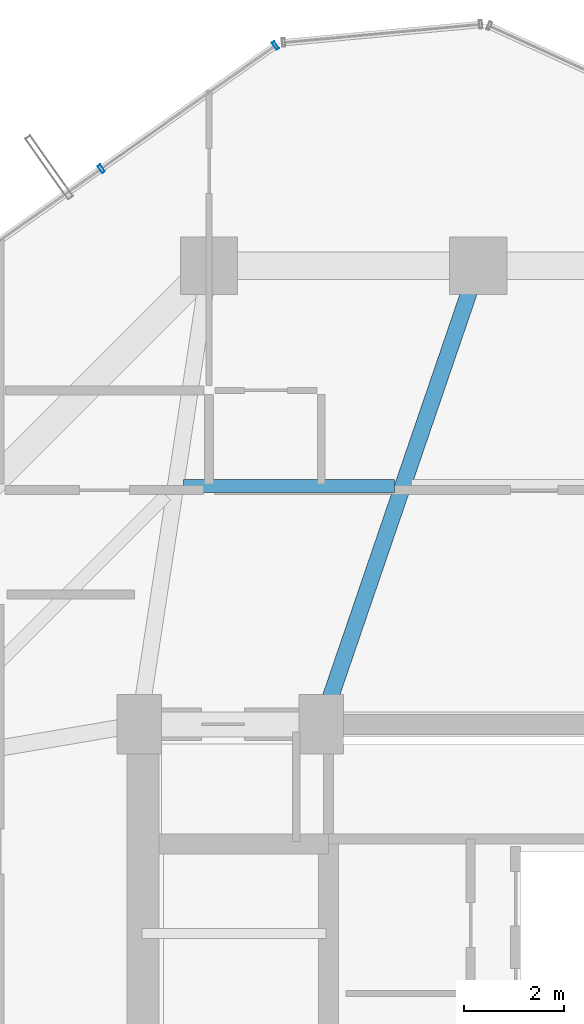
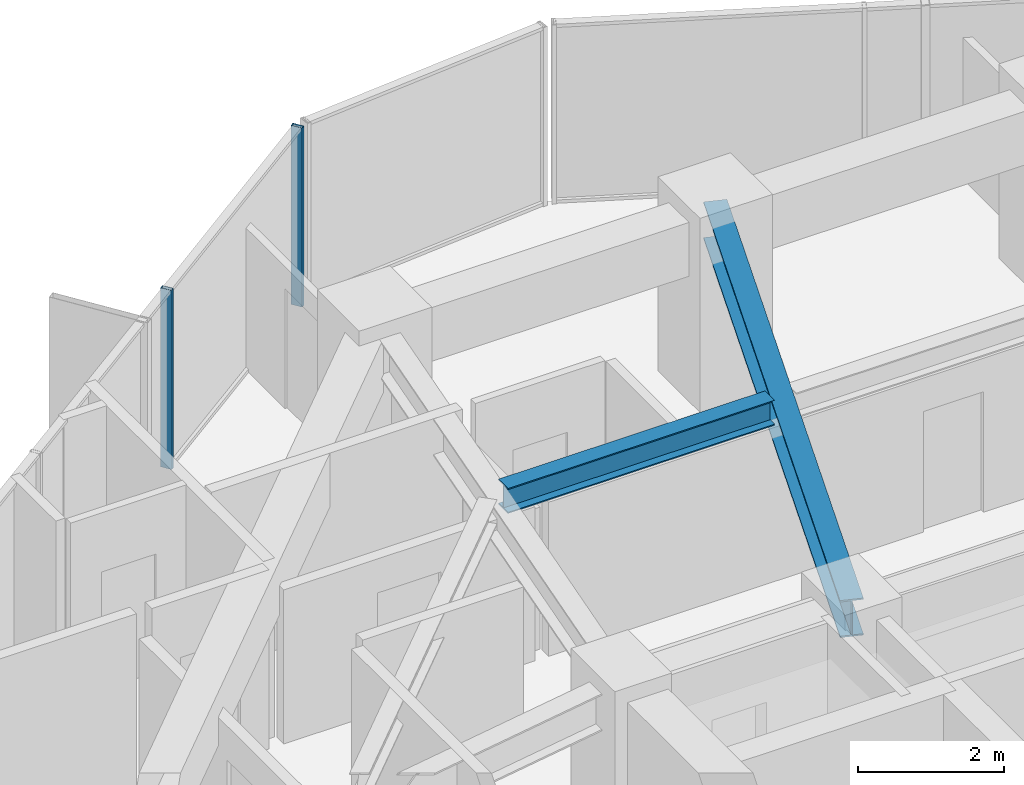
# One storey, part 21 of 33: 2 beams, 2 members, 1 element without a shape of its own.
"""IFC4 building model written with IfcOpenShell, lengths in metres."""

import ifcopenshell
import ifcopenshell.guid

model = None  # the IFC model being written
_history = None  # IfcOwnerHistory: only IFC2X3 demands one
_inside = {}  # id of a spatial element -> (the spatial element, [elements in it])
_under = {}  # id of a project, library or spatial element -> (it, [spatial elements below it])
_declared = {}  # id of a project -> (the project, [libraries it declares])
_typed = {}  # id of a type object -> (the type object, [elements of that type])
_made_of = {}  # id of a material, layer set ... -> (it, [elements and type objects made of it])


def new_model(schema):
    """Start an empty IFC model of exactly this schema.

    Asked for "IFC4X3", IfcOpenShell would pick the latest addendum, in which some entities
    have other attributes; the version numbers below select the first issue.
    IFC2X3 requires an IfcOwnerHistory on every rooted entity: one is made here for all.
    """
    global model, _history
    if schema == "IFC4X3":
        model = ifcopenshell.file(schema_version=(4, 3, 0, 0))
    else:
        model = ifcopenshell.file(schema=schema)
    _inside.clear()
    _under.clear()
    _declared.clear()
    _typed.clear()
    _made_of.clear()
    _history = None
    if model.schema == "IFC2X3":
        org = make("IfcOrganization", Name="unknown")
        user = make(
            "IfcPersonAndOrganization",
            ThePerson=make("IfcPerson", FamilyName="unknown"),
            TheOrganization=org,
        )
        app = make(
            "IfcApplication",
            ApplicationDeveloper=org,
            Version="unknown",
            ApplicationFullName="unknown",
            ApplicationIdentifier="unknown",
        )
        _history = make(
            "IfcOwnerHistory",
            OwningUser=user,
            OwningApplication=app,
            ChangeAction="ADDED",
            CreationDate=0,
        )
    return model


def make(cls, **values):
    """One entity of the class cls with the attributes given. An attribute that is None is left unset."""
    return model.create_entity(
        cls, **{name: value for name, value in values.items() if value is not None}
    )


def rooted(cls, **values):
    """An entity with a GlobalId (a new one), such as an element, a storey or a relation."""
    return make(cls, GlobalId=ifcopenshell.guid.new(), OwnerHistory=_history, **values)


def si_unit(unit_type, name, prefix=None):
    """IfcSIUnit, for example si_unit("LENGTHUNIT", "METRE", prefix="MILLI")."""
    return make("IfcSIUnit", UnitType=unit_type, Prefix=prefix, Name=name)


def assignment(units):
    """IfcUnitAssignment: the units of a project."""
    return None if units is None else make("IfcUnitAssignment", Units=units)


def point(xyz):
    """IfcCartesianPoint."""
    return None if xyz is None else make("IfcCartesianPoint", Coordinates=xyz)


def direction(xyz):
    """IfcDirection."""
    return None if xyz is None else make("IfcDirection", DirectionRatios=xyz)


def frame(location, z_axis=None, x_axis=None):
    """IfcAxis2Placement3D, a coordinate frame: its origin and axes. An axis left out is left unset."""
    return make(
        "IfcAxis2Placement3D",
        Location=point(location),
        Axis=direction(z_axis),
        RefDirection=direction(x_axis),
    )


def frame_2d(location, x_axis=None):
    """IfcAxis2Placement2D, a coordinate frame in the plane: its origin and x axis."""
    return make(
        "IfcAxis2Placement2D", Location=point(location), RefDirection=direction(x_axis)
    )


def origin():
    """The frame at (0, 0, 0) with its axes left unset."""
    return frame((0.0, 0.0, 0.0))


def origin_2d():
    """The frame at (0, 0) in the plane with its x axis left unset."""
    return frame_2d((0.0, 0.0))


def place(relative_to, where):
    """IfcLocalPlacement: puts the frame where relative to a parent placement (None: the world)."""
    return make(
        "IfcLocalPlacement", PlacementRelTo=relative_to, RelativePlacement=where
    )


def context(
    kind, dimensions, precision=None, world=None, true_north=None, identifier=None
):
    """IfcGeometricRepresentationContext, for example the 3D "Model" context."""
    return make(
        "IfcGeometricRepresentationContext",
        ContextIdentifier=identifier,
        ContextType=kind,
        CoordinateSpaceDimension=dimensions,
        Precision=precision,
        WorldCoordinateSystem=world,
        TrueNorth=true_north,
    )


def subcontext(parent, identifier, kind, view, scale=None):
    """IfcGeometricRepresentationSubContext, for example "Body" below "Model"."""
    return make(
        "IfcGeometricRepresentationSubContext",
        ContextIdentifier=identifier,
        ContextType=kind,
        ParentContext=parent,
        TargetScale=scale,
        TargetView=view,
    )


def project(units=None, contexts=None):
    """IfcProject with its units and contexts."""
    return rooted(
        "IfcProject",
        Name="project",
        RepresentationContexts=contexts,
        UnitsInContext=assignment(units),
    )


def spatial(cls, under=None, at=None, **own):
    """A site, building, storey or space (cls), placed at a placement, below another one or the project."""
    s = rooted(cls, ObjectPlacement=at, **own)
    if under is not None:
        _under.setdefault(under.id(), (under, []))[1].append(s)
    return s


def profile(cls, at=None, kind="AREA", **sizes):
    """A parametric profile (cls). Its sizes go by their IFC names, for example OverallWidth=200.0."""
    return make(cls, ProfileType=kind, Position=at, **sizes)


def hollow_rectangle(**sizes):
    """IfcRectangleHollowProfileDef."""
    return profile("IfcRectangleHollowProfileDef", **sizes)


def i_section(**sizes):
    """IfcIShapeProfileDef."""
    return profile("IfcIShapeProfileDef", **sizes)


def extrude(swept, where, along, depth):
    """IfcExtrudedAreaSolid: the profile swept, set in the frame where, extruded along a direction by depth."""
    return make(
        "IfcExtrudedAreaSolid",
        SweptArea=swept,
        Position=where,
        ExtrudedDirection=direction(along),
        Depth=depth,
    )


def shape(context_of_items, identifier, shape_type, items):
    """IfcShapeRepresentation: the items that make up one representation, for example the "Body"."""
    return make(
        "IfcShapeRepresentation",
        ContextOfItems=context_of_items,
        RepresentationIdentifier=identifier,
        RepresentationType=shape_type,
        Items=items,
    )


def source(mapping_origin, context_of_items, identifier, shape_type, items):
    """IfcRepresentationMap: a shape defined once, which mapped items show again and again."""
    return make(
        "IfcRepresentationMap",
        MappingOrigin=mapping_origin,
        MappedRepresentation=shape(context_of_items, identifier, shape_type, items),
    )


def transform(
    local_origin,
    x_axis=None,
    y_axis=None,
    z_axis=None,
    scale=None,
    scale2=None,
    scale3=None,
    uniform=True,
):
    """IfcCartesianTransformationOperator3D, or its non-uniform kind. x_axis, y_axis, z_axis: its Axis1, 2, 3."""
    if uniform:
        return make(
            "IfcCartesianTransformationOperator3D",
            Axis1=direction(x_axis),
            Axis2=direction(y_axis),
            LocalOrigin=point(local_origin),
            Scale=scale,
            Axis3=direction(z_axis),
        )
    return make(
        "IfcCartesianTransformationOperator3DnonUniform",
        Axis1=direction(x_axis),
        Axis2=direction(y_axis),
        LocalOrigin=point(local_origin),
        Scale=scale,
        Axis3=direction(z_axis),
        Scale2=scale2,
        Scale3=scale3,
    )


def mapped(mapping_source, mapping_target):
    """IfcMappedItem: shows the shape of a source again, moved by a transform."""
    return make(
        "IfcMappedItem", MappingSource=mapping_source, MappingTarget=mapping_target
    )


def material(Name=None, Category=None):
    """IfcMaterial."""
    return make("IfcMaterial", Name=Name, Category=Category)


def layer(
    of_material, thickness, ventilated=None, Name=None, Category=None, Priority=None
):
    """IfcMaterialLayer: one layer of a wall or slab, of a material (None: an air gap)."""
    return make(
        "IfcMaterialLayer",
        Material=of_material,
        LayerThickness=thickness,
        IsVentilated=ventilated,
        Name=Name,
        Category=Category,
        Priority=Priority,
    )


def layer_set(layers, Name=None):
    """IfcMaterialLayerSet."""
    return make("IfcMaterialLayerSet", MaterialLayers=layers, LayerSetName=Name)


def material_profile(
    of_material, cross_section, Name=None, Category=None, Priority=None
):
    """IfcMaterialProfile: a cross section and its material."""
    return make(
        "IfcMaterialProfile",
        Name=Name,
        Material=of_material,
        Profile=cross_section,
        Priority=Priority,
        Category=Category,
    )


def profile_set(profiles, Name=None, composite=None):
    """IfcMaterialProfileSet."""
    return make(
        "IfcMaterialProfileSet",
        Name=Name,
        MaterialProfiles=profiles,
        CompositeProfile=composite,
    )


def made_of(thing, what):
    """Note that an element or type object is made of a material, layer set ...; save() writes the relation."""
    if what is not None:
        _made_of.setdefault(what.id(), (what, []))[1].append(thing)
    return thing


def type_object(cls, material=None, **own):
    """A type object (cls), such as IfcWallType, which elements share."""
    return made_of(rooted(cls, **own), material)


def element(
    cls,
    number,
    at=None,
    inside=None,
    cuts=None,
    type_object=None,
    material=None,
    context=None,
    identifier="Body",
    shape_type=None,
    held_by="IfcProductDefinitionShape",
    body=None,
    shapes=None,
    **own,
):
    """One element of the class cls, such as IfcWall. Its Tag is "e" and its number.

    at: its placement. inside: the storey or other place that contains it. cuts: it is an
    opening in that element (IfcRelVoidsElement). A single representation is given by context,
    identifier, shape_type and body (its items); several are given by shapes. held_by: the class
    of the entity that holds the representations. save() writes the other relations.
    """
    e = rooted(cls, Tag="e%d" % number, ObjectPlacement=at, **own)
    if body is not None:
        shapes = [shape(context, identifier, shape_type, body)]
    if shapes is not None:
        e.Representation = make(held_by, Representations=shapes)
    if inside is not None:
        _inside.setdefault(inside.id(), (inside, []))[1].append(e)
    if cuts is not None:
        rooted(
            "IfcRelVoidsElement", RelatingBuildingElement=cuts, RelatedOpeningElement=e
        )
    if type_object is not None:
        _typed.setdefault(type_object.id(), (type_object, []))[1].append(e)
    return made_of(e, material)


def aggregate(whole, parts):
    """IfcRelAggregates: a whole, such as a stair, and the parts it consists of."""
    return rooted("IfcRelAggregates", RelatingObject=whole, RelatedObjects=parts)


def save(model, path):
    """Write the relations noted so far, then the file.

    IfcRelAggregates (storeys below a building ...), IfcRelContainedInSpatialStructure (elements
    in a storey), IfcRelDefinesByType, IfcRelAssociatesMaterial and IfcRelDeclares: one each for
    every whole, place, type object, material and project.
    """
    for whole, parts in _under.values():
        aggregate(whole, parts)
    for where, things in _inside.values():
        rooted(
            "IfcRelContainedInSpatialStructure",
            RelatedElements=things,
            RelatingStructure=where,
        )
    for kind, things in _typed.values():
        rooted("IfcRelDefinesByType", RelatedObjects=things, RelatingType=kind)
    for what, things in _made_of.values():
        rooted("IfcRelAssociatesMaterial", RelatedObjects=things, RelatingMaterial=what)
    for by, libraries in _declared.values():
        rooted("IfcRelDeclares", RelatingContext=by, RelatedDefinitions=libraries)
    model.write(path)


model = new_model("IFC4")

# Units and contexts
model_context = context("Model", 3, precision=1e-05, world=origin(), true_north=direction((0.0, 1.0)))
body_context = subcontext(model_context, "Body", "Model", "MODEL_VIEW")
ifc_project = project(units=[si_unit("LENGTHUNIT", "METRE"), si_unit("AREAUNIT", "SQUARE_METRE"), si_unit("VOLUMEUNIT", "CUBIC_METRE"), si_unit("PLANEANGLEUNIT", "RADIAN"), si_unit("MASSUNIT", "GRAM", prefix="KILO")], contexts=[model_context])

# Site, building, storey
site_placement = place(None, origin())
site = spatial("IfcSite", under=ifc_project, at=site_placement, CompositionType="ELEMENT")
building_placement = place(site_placement, origin())
building = spatial("IfcBuilding", under=site, at=building_placement, Name="Veraguas Prism Commons", CompositionType="ELEMENT")
storey_placement = place(building_placement, frame((0.0, 0.0, 145.75)))
storey = spatial("IfcBuildingStorey", under=building, at=storey_placement, Name="L41", CompositionType="ELEMENT", Elevation=145.75)

# Beams
ifc_material_1 = material(Name="Steel ASTM A992 Grade 50", Category="steel")
ifc_material_profile_1 = material_profile(ifc_material_1, i_section(OverallWidth=0.260986328125, OverallDepth=0.419921875, WebThickness=0.01171875, FlangeThickness=0.019287109375, at=origin_2d()), Name="W410X114")
ifc_profile_set_1 = profile_set([ifc_material_profile_1], Name="Steel ASTM A992 Grade 50")
beam_type_1 = type_object("IfcBeamType", Name="Lower Floor Joist W410x114", PredefinedType="JOIST", material=ifc_profile_set_1)
beam_1_placement = place(storey_placement, frame((22.31689453125, 35.783935546875, 2.7900390625), z_axis=(-1.0, 0.0, 0.0), x_axis=(0.0, -1.0, 0.0)))
element("IfcBeam", 1, at=beam_1_placement, inside=storey, type_object=beam_type_1, Name="Composite Floor Joist L41-JS05", PredefinedType="JOIST", context=body_context, shape_type="SweptSolid", body=[
    extrude(i_section(OverallWidth=0.260986328125, OverallDepth=0.419921875, WebThickness=0.01171875, FlangeThickness=0.019287109375, at=origin_2d()), origin(), (0.0, 0.0, 1.0), 4.22509765625),
])
ifc_material_profile_2 = material_profile(ifc_material_1, i_section(OverallWidth=0.327880859375, OverallDepth=0.6220703125, WebThickness=0.015380859375, FlangeThickness=0.0244140625, at=origin_2d()), Name="W610X195")
ifc_profile_set_2 = profile_set([ifc_material_profile_2], Name="Steel ASTM A992 Grade 50")
beam_type_2 = type_object("IfcBeamType", Name="Zone 2 Radial Girder W610x195", PredefinedType="BEAM", material=ifc_profile_set_2)
beam_2_placement = place(storey_placement, frame((24.0, 40.199951171875, 2.68896484375), z_axis=(-0.323922482989, -0.946083624747, 0.0), x_axis=(0.946083624747, -0.323922482989, 0.0)))
element("IfcBeam", 2, at=beam_2_placement, inside=storey, type_object=beam_type_2, Name="Radial Floor Girder L41-RD05", PredefinedType="BEAM", context=body_context, shape_type="SweptSolid", body=[
    extrude(i_section(OverallWidth=0.327880859375, OverallDepth=0.6220703125, WebThickness=0.015380859375, FlangeThickness=0.0244140625, at=origin_2d()), origin(), (0.0, 0.0, 1.0), 9.724365234375),
])

# Curtain wall, members
ifc_material_2 = material(Name="Anodised aluminium EN AW-6063 T6", Category="aluminium")
ifc_layer = layer(ifc_material_2, 0.169921875, Name="Unitised Flush Curtain Wall Zone 2", Category="aluminium")
ifc_layer_set = layer_set([ifc_layer], Name="Anodised aluminium EN AW-6063 T6")
curtain_wall_type = type_object("IfcCurtainWallType", Name="Unitised Flush Curtain Wall Zone 2", PredefinedType="NOTDEFINED", material=ifc_layer_set)
curtain_wall_placement = place(storey_placement, origin())
curtain_wall = element("IfcCurtainWall", 3, at=curtain_wall_placement, inside=storey, type_object=curtain_wall_type, Name="Tower Facade Curtain Wall L41-F2", PredefinedType="NOTDEFINED")
ifc_material_profile_3 = material_profile(ifc_material_2, hollow_rectangle(XDim=0.06005859375, YDim=0.169921875, WallThickness=0.00390625, at=origin_2d()), Name="AL60X170X4")
ifc_profile_set_3 = profile_set([ifc_material_profile_3], Name="Anodised aluminium EN AW-6063 T6")
member_type = type_object("IfcMemberType", Name="Curtain Wall Mullion Lower AL 60x170x4", PredefinedType="MULLION", material=ifc_profile_set_3)
shared_shape = source(origin(), body_context, "Body", "SweptSolid", [
    extrude(hollow_rectangle(XDim=0.06005859375, YDim=0.169921875, WallThickness=0.00390625, at=origin_2d()), origin(), (0.0, 0.0, 1.0), 3.0),
])
member_1_placement = place(storey_placement, frame((19.930908203125, 44.619140625, 0.0), z_axis=(0.0, 0.0, 1.0), x_axis=(-0.81634227487, -0.577568429072, 0.0)))
member_1 = element("IfcMember", 4, at=member_1_placement, type_object=member_type, Name="CW-Z2 Mullion 1", PredefinedType="MULLION", context=body_context, shape_type="MappedRepresentation", body=[
    mapped(shared_shape, transform((0.0, 0.0, 0.0), scale=1.0)),
])
member_2_placement = place(storey_placement, frame((16.43798828125, 42.14794921875, 0.0), z_axis=(0.0, 0.0, 1.0), x_axis=(-0.81634227487, -0.577568429072, 0.0)))
member_2 = element("IfcMember", 5, at=member_2_placement, type_object=member_type, Name="CW-Z2 Mullion 2", PredefinedType="MULLION", context=body_context, shape_type="MappedRepresentation", body=[
    mapped(shared_shape, transform((0.0, 0.0, 0.0), scale=1.0)),
])
aggregate(curtain_wall, [member_1, member_2])

save(model, "model.ifc")
